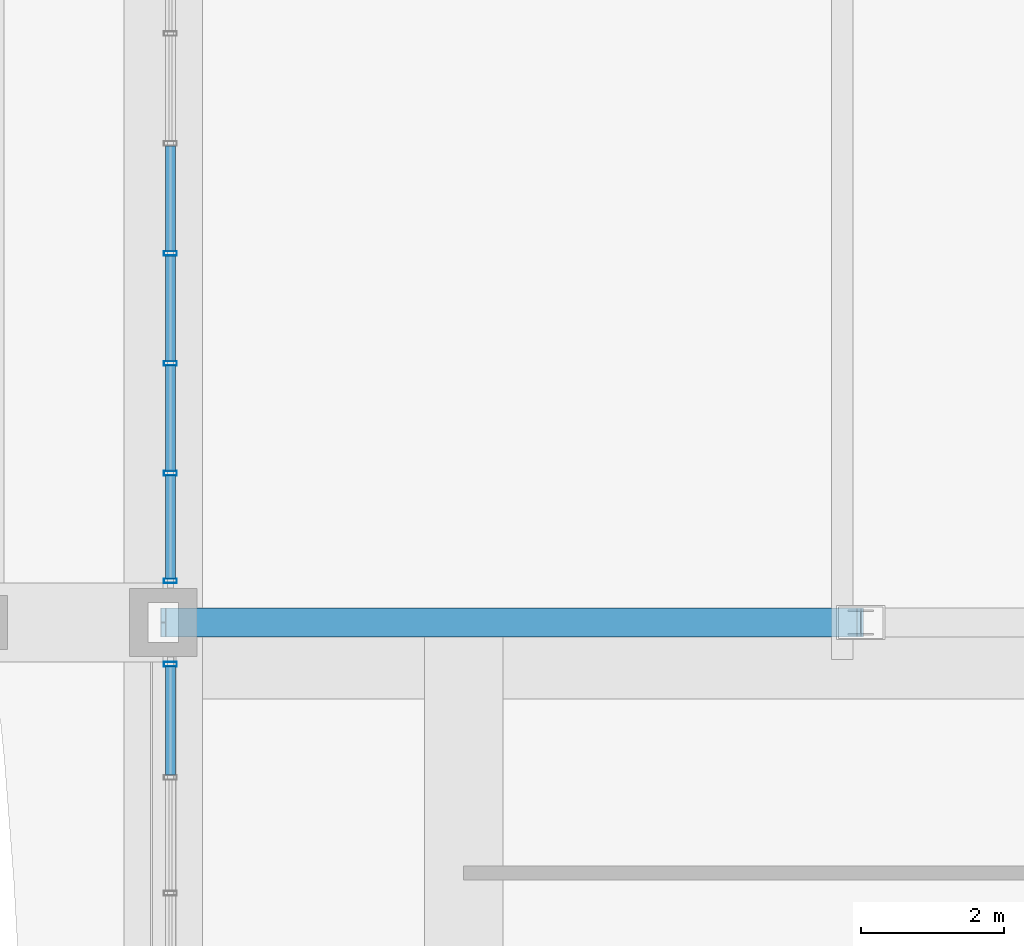
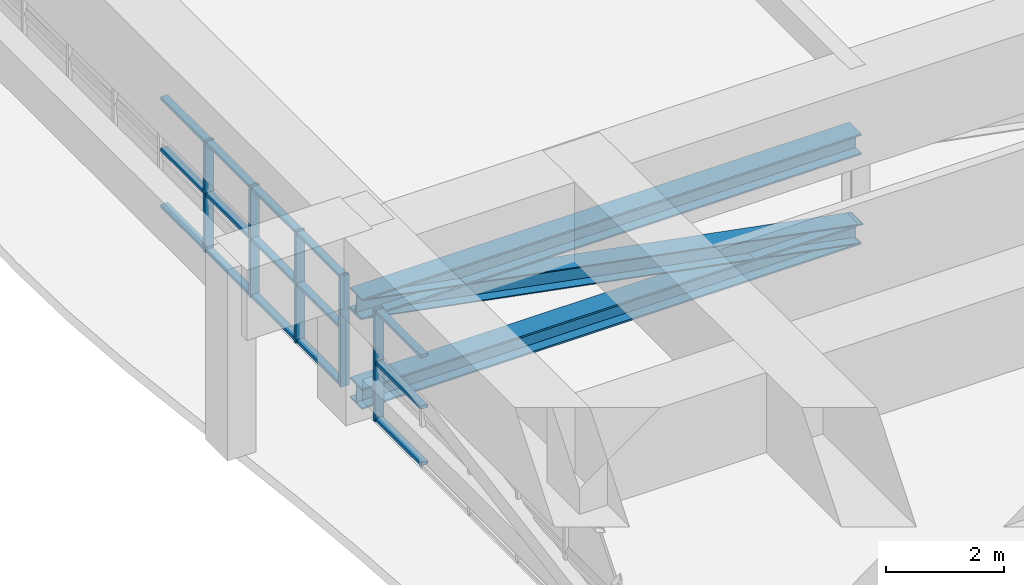
# One storey, part 6 of 35: 23 members, 2 elements without a shape of their own.
"""IFC4 building model written with IfcOpenShell, lengths in metres."""

from ifc_helpers import new_model, si_unit, direction, frame, origin, origin_2d, place, context, subcontext, project, spatial, hollow_rectangle, i_section, extrude, source, transform, mapped, material, layer, layer_set, material_profile, profile_set, type_object, element, aggregate, save


model = new_model("IFC4")

# Units and contexts
model_context = context("Model", 3, precision=1e-05, world=origin(), true_north=direction((0.0, 1.0)))
body_context = subcontext(model_context, "Body", "Model", "MODEL_VIEW")
ifc_project = project(units=[si_unit("LENGTHUNIT", "METRE"), si_unit("AREAUNIT", "SQUARE_METRE"), si_unit("VOLUMEUNIT", "CUBIC_METRE"), si_unit("PLANEANGLEUNIT", "RADIAN"), si_unit("MASSUNIT", "GRAM", prefix="KILO")], contexts=[model_context])

# Site, building, storey
site_placement = place(None, origin())
site = spatial("IfcSite", under=ifc_project, at=site_placement, CompositionType="ELEMENT")
building_placement = place(site_placement, origin())
building = spatial("IfcBuilding", under=site, at=building_placement, Name="Saelheon Loggia Tower", CompositionType="ELEMENT")
storey_placement = place(building_placement, frame((0.0, 0.0, 144.75)))
storey = spatial("IfcBuildingStorey", under=building, at=storey_placement, Name="L46", CompositionType="ELEMENT", Elevation=144.75)

# Members
ifc_material_1 = material(Name="Steel SM355", Category="steel")
ifc_material_profile_1 = material_profile(ifc_material_1, i_section(OverallWidth=0.406982421875, OverallDepth=0.427978515625, WebThickness=0.02001953125, FlangeThickness=0.034912109375, at=origin_2d()), Name="H-428x407x20x35")
ifc_profile_set_1 = profile_set([ifc_material_profile_1], Name="Steel SM355")
member_type_1 = type_object("IfcMemberType", Name="Outrigger_Chord_H428", PredefinedType="CHORD", material=ifc_profile_set_1)
shared_shape_1 = source(origin(), body_context, "Body", "SweptSolid", [
    extrude(i_section(OverallWidth=0.406982421875, OverallDepth=0.427978515625, WebThickness=0.02001953125, FlangeThickness=0.034912109375, at=origin_2d()), origin(), (0.0, 0.0, 1.0), 9.75),
])
for number, where, z_axis, x_axis, name in (
    (1, (21.75, 18.0, 0.219970703125), (-1.0, 0.0, 0.0), (0.0, -1.0, 0.0), "L46 Outrigger Bottom Chord SW-W 2"),
    (2, (21.75, 18.0, 2.070068359375), (-1.0, 0.0, 0.0), (0.0, -1.0, 0.0), "L46 Outrigger Top Chord SW-W 2"),
):
    element("IfcMember", number, at=place(storey_placement, frame(where, z_axis=z_axis, x_axis=x_axis)), inside=storey, type_object=member_type_1, Name=name, PredefinedType="CHORD", context=body_context, shape_type="MappedRepresentation", body=[
        mapped(shared_shape_1, transform((0.0, 0.0, 0.0), scale=1.0)),
    ])
ifc_material_profile_2 = material_profile(ifc_material_1, i_section(OverallWidth=0.39990234375, OverallDepth=0.39990234375, WebThickness=0.012939453125, FlangeThickness=0.02099609375, at=origin_2d()), Name="H-400x400x13x21")
ifc_profile_set_2 = profile_set([ifc_material_profile_2], Name="Steel SM355")
member_type_2 = type_object("IfcMemberType", Name="Outrigger_Brace_H400", PredefinedType="BRACE", material=ifc_profile_set_2)
shared_shape_2 = source(origin(), body_context, "Body", "SweptSolid", [
    extrude(i_section(OverallWidth=0.39990234375, OverallDepth=0.39990234375, WebThickness=0.012939453125, FlangeThickness=0.02099609375, at=origin_2d()), origin(), (0.0, 0.0, 1.0), 9.924072265625),
])
member_1_placement = place(storey_placement, frame((21.75, 18.0, 0.219970703125), z_axis=(-0.982468815564, 0.0, 0.186427000309), x_axis=(0.0, -1.0, 0.0)))
element("IfcMember", 3, at=member_1_placement, inside=storey, type_object=member_type_2, Name="L46 Outrigger Diagonal SW-W 2", PredefinedType="BRACE", context=body_context, shape_type="MappedRepresentation", body=[
    mapped(shared_shape_2, transform((0.0, 0.0, 0.0), scale=1.0)),
])

# Curtain wall, member
ifc_material_2 = material(Name="Anodised Aluminium Acoustic Louvre Curtain Wall", Category="aluminium")
ifc_layer = layer(ifc_material_2, 0.179931640625)
ifc_layer_set = layer_set([ifc_layer], Name="Anodised Aluminium Acoustic Louvre Curtain Wall")
curtain_wall_type = type_object("IfcCurtainWallType", Name="CW_RefugeAcoustic", PredefinedType="NOTDEFINED", material=ifc_layer_set)
curtain_wall_1_placement = place(storey_placement, origin())
curtain_wall_1 = element("IfcCurtainWall", 4, at=curtain_wall_1_placement, inside=storey, type_object=curtain_wall_type, Name="L46 W Refuge Acoustic Curtain Wall 1", PredefinedType="NOTDEFINED")
ifc_material_3 = material(Name="Anodised Aluminium 6063-T6", Category="aluminium")
ifc_material_profile_3 = material_profile(ifc_material_3, hollow_rectangle(XDim=0.06494140625, YDim=0.179931640625, WallThickness=0.00390625, at=origin_2d()), Name="RHS-180x65x4")
ifc_profile_set_3 = profile_set([ifc_material_profile_3], Name="Anodised Aluminium 6063-T6")
member_type_3 = type_object("IfcMemberType", Name="CW_RefugeAcoustic_Mullion", PredefinedType="MULLION", material=ifc_profile_set_3)
shared_shape_3 = source(origin(), body_context, "Body", "SweptSolid", [
    extrude(hollow_rectangle(XDim=0.06494140625, YDim=0.179931640625, WallThickness=0.00390625, at=origin_2d()), origin(), (0.0, 0.0, 1.0), 2.2900390625),
])
member_2_placement = place(storey_placement, frame((12.10009765625, 17.41748046875, 0.0), z_axis=(0.0, 0.0, 1.0), x_axis=(0.0, 1.0, 0.0)))
member_2 = element("IfcMember", 5, at=member_2_placement, type_object=member_type_3, Name="CW5 mullion 7", PredefinedType="MULLION", context=body_context, shape_type="MappedRepresentation", body=[
    mapped(shared_shape_3, transform((0.0, 0.0, 0.0), scale=1.0)),
])

# Curtain wall, members
curtain_wall_2_placement = place(storey_placement, origin())
curtain_wall_2 = element("IfcCurtainWall", 6, at=curtain_wall_2_placement, inside=storey, type_object=curtain_wall_type, Name="L46 W Refuge Acoustic Curtain Wall 2", PredefinedType="NOTDEFINED")
member_3_placement = place(storey_placement, frame((12.10009765625, 18.58251953125, 0.0), z_axis=(0.0, 0.0, 1.0), x_axis=(0.0, 1.0, 0.0)))
member_3 = element("IfcMember", 7, at=member_3_placement, type_object=member_type_3, Name="CW5 mullion 1", PredefinedType="MULLION", context=body_context, shape_type="MappedRepresentation", body=[
    mapped(shared_shape_3, transform((0.0, 0.0, 0.0), scale=1.0)),
])
member_4_placement = place(storey_placement, frame((12.10009765625, 20.08642578125, 0.0), z_axis=(0.0, 0.0, 1.0), x_axis=(0.0, 1.0, 0.0)))
member_4 = element("IfcMember", 8, at=member_4_placement, type_object=member_type_3, Name="CW5 mullion 2", PredefinedType="MULLION", context=body_context, shape_type="MappedRepresentation", body=[
    mapped(shared_shape_3, transform((0.0, 0.0, 0.0), scale=1.0)),
])
member_5_placement = place(storey_placement, frame((12.10009765625, 21.622802734375, 0.0), z_axis=(0.0, 0.0, 1.0), x_axis=(0.0, 1.0, 0.0)))
member_5 = element("IfcMember", 9, at=member_5_placement, type_object=member_type_3, Name="CW5 mullion 3", PredefinedType="MULLION", context=body_context, shape_type="MappedRepresentation", body=[
    mapped(shared_shape_3, transform((0.0, 0.0, 0.0), scale=1.0)),
])
member_6_placement = place(storey_placement, frame((12.10009765625, 23.1591796875, 0.0), z_axis=(0.0, 0.0, 1.0), x_axis=(0.0, 1.0, 0.0)))
member_6 = element("IfcMember", 10, at=member_6_placement, type_object=member_type_3, Name="CW5 mullion 4", PredefinedType="MULLION", context=body_context, shape_type="MappedRepresentation", body=[
    mapped(shared_shape_3, transform((0.0, 0.0, 0.0), scale=1.0)),
])
ifc_material_profile_4 = material_profile(ifc_material_3, hollow_rectangle(XDim=0.06494140625, YDim=0.139892578125, WallThickness=0.00390625, at=origin_2d()), Name="RHS-140x65x4")
ifc_profile_set_4 = profile_set([ifc_material_profile_4], Name="Anodised Aluminium 6063-T6")
member_type_4 = type_object("IfcMemberType", Name="CW_RefugeAcoustic_Transom", PredefinedType="USERDEFINED", material=ifc_profile_set_4)
shared_shape_4 = source(origin(), body_context, "Body", "SweptSolid", [
    extrude(hollow_rectangle(XDim=0.06494140625, YDim=0.139892578125, WallThickness=0.00390625, at=origin_2d()), origin(), (0.0, 0.0, 1.0), 1.43896484375),
])
member_7_placement = place(storey_placement, frame((12.10009765625, 18.614990234375, 0.032470703125), z_axis=(0.0, 1.0, 0.0), x_axis=(0.0, 0.0, 1.0)))
member_7 = element("IfcMember", 11, at=member_7_placement, type_object=member_type_4, Name="CW5 transom 1.1", ObjectType="TRANSOM", PredefinedType="USERDEFINED", context=body_context, shape_type="MappedRepresentation", body=[
    mapped(shared_shape_4, transform((0.0, 0.0, 0.0), scale=1.0)),
])
member_8_placement = place(storey_placement, frame((12.10009765625, 18.614990234375, 1.199951171875), z_axis=(0.0, 1.0, 0.0), x_axis=(0.0, 0.0, 1.0)))
member_8 = element("IfcMember", 12, at=member_8_placement, type_object=member_type_4, Name="CW5 transom 1.2", ObjectType="TRANSOM", PredefinedType="USERDEFINED", context=body_context, shape_type="MappedRepresentation", body=[
    mapped(shared_shape_4, transform((0.0, 0.0, 0.0), scale=1.0)),
])
member_9_placement = place(storey_placement, frame((12.10009765625, 18.614990234375, 2.257568359375), z_axis=(0.0, 1.0, 0.0), x_axis=(0.0, 0.0, 1.0)))
member_9 = element("IfcMember", 13, at=member_9_placement, type_object=member_type_4, Name="CW5 transom 1.3", ObjectType="TRANSOM", PredefinedType="USERDEFINED", context=body_context, shape_type="MappedRepresentation", body=[
    mapped(shared_shape_4, transform((0.0, 0.0, 0.0), scale=1.0)),
])
shared_shape_5 = source(origin(), body_context, "Body", "SweptSolid", [
    extrude(hollow_rectangle(XDim=0.06494140625, YDim=0.139892578125, WallThickness=0.00390625, at=origin_2d()), origin(), (0.0, 0.0, 1.0), 1.471435546875),
])
member_10_placement = place(storey_placement, frame((12.10009765625, 20.118896484375, 0.032470703125), z_axis=(0.0, 1.0, 0.0), x_axis=(0.0, 0.0, 1.0)))
member_10 = element("IfcMember", 14, at=member_10_placement, type_object=member_type_4, Name="CW5 transom 2.1", ObjectType="TRANSOM", PredefinedType="USERDEFINED", context=body_context, shape_type="MappedRepresentation", body=[
    mapped(shared_shape_5, transform((0.0, 0.0, 0.0), scale=1.0)),
])
member_11_placement = place(storey_placement, frame((12.10009765625, 20.118896484375, 1.199951171875), z_axis=(0.0, 1.0, 0.0), x_axis=(0.0, 0.0, 1.0)))
member_11 = element("IfcMember", 15, at=member_11_placement, type_object=member_type_4, Name="CW5 transom 2.2", ObjectType="TRANSOM", PredefinedType="USERDEFINED", context=body_context, shape_type="MappedRepresentation", body=[
    mapped(shared_shape_5, transform((0.0, 0.0, 0.0), scale=1.0)),
])
member_12_placement = place(storey_placement, frame((12.10009765625, 20.118896484375, 2.257568359375), z_axis=(0.0, 1.0, 0.0), x_axis=(0.0, 0.0, 1.0)))
member_12 = element("IfcMember", 16, at=member_12_placement, type_object=member_type_4, Name="CW5 transom 2.3", ObjectType="TRANSOM", PredefinedType="USERDEFINED", context=body_context, shape_type="MappedRepresentation", body=[
    mapped(shared_shape_5, transform((0.0, 0.0, 0.0), scale=1.0)),
])
member_13_placement = place(storey_placement, frame((12.10009765625, 21.6552734375, 0.032470703125), z_axis=(0.0, 1.0, 0.0), x_axis=(0.0, 0.0, 1.0)))
member_13 = element("IfcMember", 17, at=member_13_placement, type_object=member_type_4, Name="CW5 transom 3.1", ObjectType="TRANSOM", PredefinedType="USERDEFINED", context=body_context, shape_type="MappedRepresentation", body=[
    mapped(shared_shape_5, transform((0.0, 0.0, 0.0), scale=1.0)),
])
member_14_placement = place(storey_placement, frame((12.10009765625, 21.6552734375, 1.199951171875), z_axis=(0.0, 1.0, 0.0), x_axis=(0.0, 0.0, 1.0)))
member_14 = element("IfcMember", 18, at=member_14_placement, type_object=member_type_4, Name="CW5 transom 3.2", ObjectType="TRANSOM", PredefinedType="USERDEFINED", context=body_context, shape_type="MappedRepresentation", body=[
    mapped(shared_shape_5, transform((0.0, 0.0, 0.0), scale=1.0)),
])
member_15_placement = place(storey_placement, frame((12.10009765625, 21.6552734375, 2.257568359375), z_axis=(0.0, 1.0, 0.0), x_axis=(0.0, 0.0, 1.0)))
member_15 = element("IfcMember", 19, at=member_15_placement, type_object=member_type_4, Name="CW5 transom 3.3", ObjectType="TRANSOM", PredefinedType="USERDEFINED", context=body_context, shape_type="MappedRepresentation", body=[
    mapped(shared_shape_5, transform((0.0, 0.0, 0.0), scale=1.0)),
])
shared_shape_6 = source(origin(), body_context, "Body", "SweptSolid", [
    extrude(hollow_rectangle(XDim=0.06494140625, YDim=0.139892578125, WallThickness=0.00390625, at=origin_2d()), origin(), (0.0, 0.0, 1.0), 1.47119140625),
])
member_16_placement = place(storey_placement, frame((12.10009765625, 23.191650390625, 0.032470703125), z_axis=(0.0, 1.0, 0.0), x_axis=(0.0, 0.0, 1.0)))
member_16 = element("IfcMember", 20, at=member_16_placement, type_object=member_type_4, Name="CW5 transom 4.1", ObjectType="TRANSOM", PredefinedType="USERDEFINED", context=body_context, shape_type="MappedRepresentation", body=[
    mapped(shared_shape_6, transform((0.0, 0.0, 0.0), scale=1.0)),
])
member_17_placement = place(storey_placement, frame((12.10009765625, 23.191650390625, 1.199951171875), z_axis=(0.0, 1.0, 0.0), x_axis=(0.0, 0.0, 1.0)))
member_17 = element("IfcMember", 21, at=member_17_placement, type_object=member_type_4, Name="CW5 transom 4.2", ObjectType="TRANSOM", PredefinedType="USERDEFINED", context=body_context, shape_type="MappedRepresentation", body=[
    mapped(shared_shape_6, transform((0.0, 0.0, 0.0), scale=1.0)),
])
member_18_placement = place(storey_placement, frame((12.10009765625, 23.191650390625, 2.257568359375), z_axis=(0.0, 1.0, 0.0), x_axis=(0.0, 0.0, 1.0)))
member_18 = element("IfcMember", 22, at=member_18_placement, type_object=member_type_4, Name="CW5 transom 4.3", ObjectType="TRANSOM", PredefinedType="USERDEFINED", context=body_context, shape_type="MappedRepresentation", body=[
    mapped(shared_shape_6, transform((0.0, 0.0, 0.0), scale=1.0)),
])
aggregate(curtain_wall_2, [member_3, member_4, member_5, member_6, member_7, member_8, member_9, member_10, member_11, member_12, member_13, member_14, member_15, member_16, member_17, member_18])

# Member
shared_shape_7 = source(origin(), body_context, "Body", "SweptSolid", [
    extrude(hollow_rectangle(XDim=0.06494140625, YDim=0.139892578125, WallThickness=0.00390625, at=origin_2d()), origin(), (0.0, 0.0, 1.0), 1.519287109375),
])
member_19_placement = place(storey_placement, frame((12.10009765625, 15.86572265625, 0.032470703125), z_axis=(0.0, 1.0, 0.0), x_axis=(0.0, 0.0, 1.0)))
member_19 = element("IfcMember", 23, at=member_19_placement, type_object=member_type_4, Name="CW5 transom 6.1", ObjectType="TRANSOM", PredefinedType="USERDEFINED", context=body_context, shape_type="MappedRepresentation", body=[
    mapped(shared_shape_7, transform((0.0, 0.0, 0.0), scale=1.0)),
])

member_20_placement = place(storey_placement, frame((12.10009765625, 15.86572265625, 1.199951171875), z_axis=(0.0, 1.0, 0.0), x_axis=(0.0, 0.0, 1.0)))
member_20 = element("IfcMember", 24, at=member_20_placement, type_object=member_type_4, Name="CW5 transom 6.2", ObjectType="TRANSOM", PredefinedType="USERDEFINED", context=body_context, shape_type="MappedRepresentation", body=[
    mapped(shared_shape_7, transform((0.0, 0.0, 0.0), scale=1.0)),
])

member_21_placement = place(storey_placement, frame((12.10009765625, 15.86572265625, 2.257568359375), z_axis=(0.0, 1.0, 0.0), x_axis=(0.0, 0.0, 1.0)))
member_21 = element("IfcMember", 25, at=member_21_placement, type_object=member_type_4, Name="CW5 transom 6.3", ObjectType="TRANSOM", PredefinedType="USERDEFINED", context=body_context, shape_type="MappedRepresentation", body=[
    mapped(shared_shape_7, transform((0.0, 0.0, 0.0), scale=1.0)),
])

aggregate(curtain_wall_1, [member_2, member_19, member_20, member_21])

save(model, "model.ifc")
